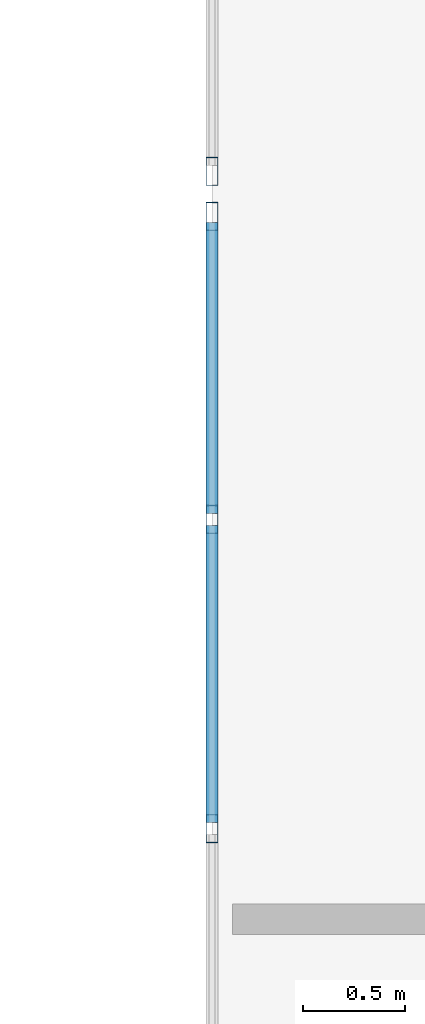
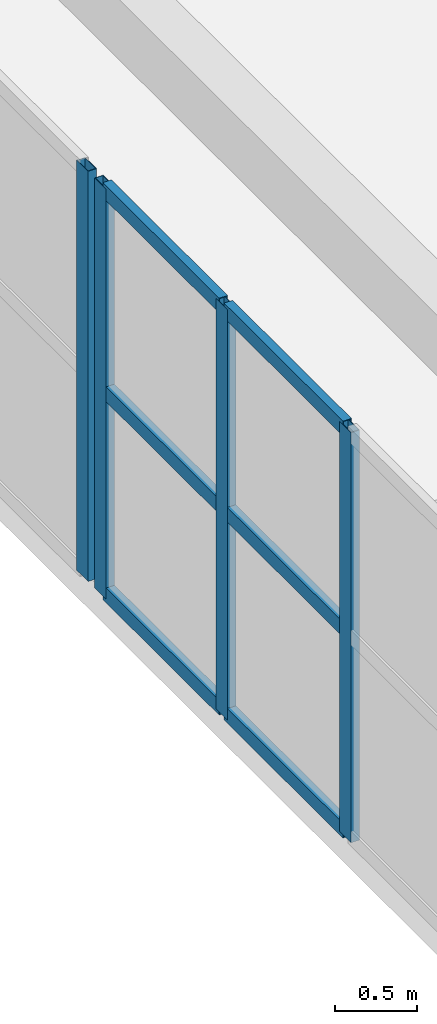
# One storey, part 51 of 148: 10 members, 2 elements without a shape of their own.
"""IFC4 building model written with IfcOpenShell, lengths in metres."""

import ifcopenshell
import ifcopenshell.guid

model = None  # the IFC model being written
_history = None  # IfcOwnerHistory: only IFC2X3 demands one
_inside = {}  # id of a spatial element -> (the spatial element, [elements in it])
_under = {}  # id of a project, library or spatial element -> (it, [spatial elements below it])
_declared = {}  # id of a project -> (the project, [libraries it declares])
_typed = {}  # id of a type object -> (the type object, [elements of that type])
_made_of = {}  # id of a material, layer set ... -> (it, [elements and type objects made of it])


def new_model(schema):
    """Start an empty IFC model of exactly this schema.

    Asked for "IFC4X3", IfcOpenShell would pick the latest addendum, in which some entities
    have other attributes; the version numbers below select the first issue.
    IFC2X3 requires an IfcOwnerHistory on every rooted entity: one is made here for all.
    """
    global model, _history
    if schema == "IFC4X3":
        model = ifcopenshell.file(schema_version=(4, 3, 0, 0))
    else:
        model = ifcopenshell.file(schema=schema)
    _inside.clear()
    _under.clear()
    _declared.clear()
    _typed.clear()
    _made_of.clear()
    _history = None
    if model.schema == "IFC2X3":
        org = make("IfcOrganization", Name="unknown")
        user = make(
            "IfcPersonAndOrganization",
            ThePerson=make("IfcPerson", FamilyName="unknown"),
            TheOrganization=org,
        )
        app = make(
            "IfcApplication",
            ApplicationDeveloper=org,
            Version="unknown",
            ApplicationFullName="unknown",
            ApplicationIdentifier="unknown",
        )
        _history = make(
            "IfcOwnerHistory",
            OwningUser=user,
            OwningApplication=app,
            ChangeAction="ADDED",
            CreationDate=0,
        )
    return model


def make(cls, **values):
    """One entity of the class cls with the attributes given. An attribute that is None is left unset."""
    return model.create_entity(
        cls, **{name: value for name, value in values.items() if value is not None}
    )


def rooted(cls, **values):
    """An entity with a GlobalId (a new one), such as an element, a storey or a relation."""
    return make(cls, GlobalId=ifcopenshell.guid.new(), OwnerHistory=_history, **values)


def si_unit(unit_type, name, prefix=None):
    """IfcSIUnit, for example si_unit("LENGTHUNIT", "METRE", prefix="MILLI")."""
    return make("IfcSIUnit", UnitType=unit_type, Prefix=prefix, Name=name)


def assignment(units):
    """IfcUnitAssignment: the units of a project."""
    return None if units is None else make("IfcUnitAssignment", Units=units)


def point(xyz):
    """IfcCartesianPoint."""
    return None if xyz is None else make("IfcCartesianPoint", Coordinates=xyz)


def direction(xyz):
    """IfcDirection."""
    return None if xyz is None else make("IfcDirection", DirectionRatios=xyz)


def frame(location, z_axis=None, x_axis=None):
    """IfcAxis2Placement3D, a coordinate frame: its origin and axes. An axis left out is left unset."""
    return make(
        "IfcAxis2Placement3D",
        Location=point(location),
        Axis=direction(z_axis),
        RefDirection=direction(x_axis),
    )


def frame_2d(location, x_axis=None):
    """IfcAxis2Placement2D, a coordinate frame in the plane: its origin and x axis."""
    return make(
        "IfcAxis2Placement2D", Location=point(location), RefDirection=direction(x_axis)
    )


def origin():
    """The frame at (0, 0, 0) with its axes left unset."""
    return frame((0.0, 0.0, 0.0))


def origin_2d():
    """The frame at (0, 0) in the plane with its x axis left unset."""
    return frame_2d((0.0, 0.0))


def place(relative_to, where):
    """IfcLocalPlacement: puts the frame where relative to a parent placement (None: the world)."""
    return make(
        "IfcLocalPlacement", PlacementRelTo=relative_to, RelativePlacement=where
    )


def context(
    kind, dimensions, precision=None, world=None, true_north=None, identifier=None
):
    """IfcGeometricRepresentationContext, for example the 3D "Model" context."""
    return make(
        "IfcGeometricRepresentationContext",
        ContextIdentifier=identifier,
        ContextType=kind,
        CoordinateSpaceDimension=dimensions,
        Precision=precision,
        WorldCoordinateSystem=world,
        TrueNorth=true_north,
    )


def subcontext(parent, identifier, kind, view, scale=None):
    """IfcGeometricRepresentationSubContext, for example "Body" below "Model"."""
    return make(
        "IfcGeometricRepresentationSubContext",
        ContextIdentifier=identifier,
        ContextType=kind,
        ParentContext=parent,
        TargetScale=scale,
        TargetView=view,
    )


def project(units=None, contexts=None):
    """IfcProject with its units and contexts."""
    return rooted(
        "IfcProject",
        Name="project",
        RepresentationContexts=contexts,
        UnitsInContext=assignment(units),
    )


def spatial(cls, under=None, at=None, **own):
    """A site, building, storey or space (cls), placed at a placement, below another one or the project."""
    s = rooted(cls, ObjectPlacement=at, **own)
    if under is not None:
        _under.setdefault(under.id(), (under, []))[1].append(s)
    return s


def profile(cls, at=None, kind="AREA", **sizes):
    """A parametric profile (cls). Its sizes go by their IFC names, for example OverallWidth=200.0."""
    return make(cls, ProfileType=kind, Position=at, **sizes)


def hollow_rectangle(**sizes):
    """IfcRectangleHollowProfileDef."""
    return profile("IfcRectangleHollowProfileDef", **sizes)


def extrude(swept, where, along, depth):
    """IfcExtrudedAreaSolid: the profile swept, set in the frame where, extruded along a direction by depth."""
    return make(
        "IfcExtrudedAreaSolid",
        SweptArea=swept,
        Position=where,
        ExtrudedDirection=direction(along),
        Depth=depth,
    )


def shape(context_of_items, identifier, shape_type, items):
    """IfcShapeRepresentation: the items that make up one representation, for example the "Body"."""
    return make(
        "IfcShapeRepresentation",
        ContextOfItems=context_of_items,
        RepresentationIdentifier=identifier,
        RepresentationType=shape_type,
        Items=items,
    )


def material(Name=None, Category=None):
    """IfcMaterial."""
    return make("IfcMaterial", Name=Name, Category=Category)


def layer(
    of_material, thickness, ventilated=None, Name=None, Category=None, Priority=None
):
    """IfcMaterialLayer: one layer of a wall or slab, of a material (None: an air gap)."""
    return make(
        "IfcMaterialLayer",
        Material=of_material,
        LayerThickness=thickness,
        IsVentilated=ventilated,
        Name=Name,
        Category=Category,
        Priority=Priority,
    )


def layer_set(layers, Name=None):
    """IfcMaterialLayerSet."""
    return make("IfcMaterialLayerSet", MaterialLayers=layers, LayerSetName=Name)


def material_profile(
    of_material, cross_section, Name=None, Category=None, Priority=None
):
    """IfcMaterialProfile: a cross section and its material."""
    return make(
        "IfcMaterialProfile",
        Name=Name,
        Material=of_material,
        Profile=cross_section,
        Priority=Priority,
        Category=Category,
    )


def profile_set(profiles, Name=None, composite=None):
    """IfcMaterialProfileSet."""
    return make(
        "IfcMaterialProfileSet",
        Name=Name,
        MaterialProfiles=profiles,
        CompositeProfile=composite,
    )


def made_of(thing, what):
    """Note that an element or type object is made of a material, layer set ...; save() writes the relation."""
    if what is not None:
        _made_of.setdefault(what.id(), (what, []))[1].append(thing)
    return thing


def type_object(cls, material=None, **own):
    """A type object (cls), such as IfcWallType, which elements share."""
    return made_of(rooted(cls, **own), material)


def element(
    cls,
    number,
    at=None,
    inside=None,
    cuts=None,
    type_object=None,
    material=None,
    context=None,
    identifier="Body",
    shape_type=None,
    held_by="IfcProductDefinitionShape",
    body=None,
    shapes=None,
    **own,
):
    """One element of the class cls, such as IfcWall. Its Tag is "e" and its number.

    at: its placement. inside: the storey or other place that contains it. cuts: it is an
    opening in that element (IfcRelVoidsElement). A single representation is given by context,
    identifier, shape_type and body (its items); several are given by shapes. held_by: the class
    of the entity that holds the representations. save() writes the other relations.
    """
    e = rooted(cls, Tag="e%d" % number, ObjectPlacement=at, **own)
    if body is not None:
        shapes = [shape(context, identifier, shape_type, body)]
    if shapes is not None:
        e.Representation = make(held_by, Representations=shapes)
    if inside is not None:
        _inside.setdefault(inside.id(), (inside, []))[1].append(e)
    if cuts is not None:
        rooted(
            "IfcRelVoidsElement", RelatingBuildingElement=cuts, RelatedOpeningElement=e
        )
    if type_object is not None:
        _typed.setdefault(type_object.id(), (type_object, []))[1].append(e)
    return made_of(e, material)


def aggregate(whole, parts):
    """IfcRelAggregates: a whole, such as a stair, and the parts it consists of."""
    return rooted("IfcRelAggregates", RelatingObject=whole, RelatedObjects=parts)


def save(model, path):
    """Write the relations noted so far, then the file.

    IfcRelAggregates (storeys below a building ...), IfcRelContainedInSpatialStructure (elements
    in a storey), IfcRelDefinesByType, IfcRelAssociatesMaterial and IfcRelDeclares: one each for
    every whole, place, type object, material and project.
    """
    for whole, parts in _under.values():
        aggregate(whole, parts)
    for where, things in _inside.values():
        rooted(
            "IfcRelContainedInSpatialStructure",
            RelatedElements=things,
            RelatingStructure=where,
        )
    for kind, things in _typed.values():
        rooted("IfcRelDefinesByType", RelatedObjects=things, RelatingType=kind)
    for what, things in _made_of.values():
        rooted("IfcRelAssociatesMaterial", RelatedObjects=things, RelatingMaterial=what)
    for by, libraries in _declared.values():
        rooted("IfcRelDeclares", RelatingContext=by, RelatedDefinitions=libraries)
    model.write(path)


model = new_model("IFC4")

# Units and contexts
model_context = context("Model", 3, precision=1e-05, world=origin(), true_north=direction((0.0, 1.0)))
body_context = subcontext(model_context, "Body", "Model", "MODEL_VIEW")
ifc_project = project(units=[si_unit("LENGTHUNIT", "METRE"), si_unit("AREAUNIT", "SQUARE_METRE"), si_unit("VOLUMEUNIT", "CUBIC_METRE"), si_unit("PLANEANGLEUNIT", "RADIAN"), si_unit("MASSUNIT", "GRAM", prefix="KILO")], contexts=[model_context])

# Site, building, storey
site_placement = place(None, origin())
site = spatial("IfcSite", under=ifc_project, at=site_placement, CompositionType="ELEMENT")
building_placement = place(site_placement, origin())
building = spatial("IfcBuilding", under=site, at=building_placement, Name="Trelvath General Hospital", CompositionType="ELEMENT")
storey_placement = place(building_placement, frame((0.0, 0.0, 12.89990234375)))
storey = spatial("IfcBuildingStorey", under=building, at=storey_placement, Name="L03", CompositionType="ELEMENT", Elevation=12.89990234375)

# Curtain wall, members
ifc_material_1 = material(Name="Anodised aluminium and low-E glass", Category="aluminium")
ifc_layer_1 = layer(ifc_material_1, 0.14990234375)
ifc_layer_set_1 = layer_set([ifc_layer_1], Name="Anodised aluminium and low-E glass")
curtain_wall_type_1 = type_object("IfcCurtainWallType", Name="CW CrystalCube 1664 306 15", PredefinedType="USERDEFINED", material=ifc_layer_set_1)
curtain_wall_1_placement = place(storey_placement, origin())
curtain_wall_1 = element("IfcCurtainWall", 1, at=curtain_wall_1_placement, inside=storey, type_object=curtain_wall_type_1, Name="Crystal Cube Curtain Wall CUBE-W-T1 W3 L03", ObjectType="Unitised Glazed Curtain Wall", PredefinedType="USERDEFINED")
ifc_material_2 = material(Name="Anodised aluminium", Category="aluminium")
ifc_material_profile_1 = material_profile(ifc_material_2, hollow_rectangle(XDim=0.06005859375, YDim=0.139892578125, WallThickness=0.00390625, at=origin_2d()), Name="RHS60x140x4")
ifc_profile_set_1 = profile_set([ifc_material_profile_1], Name="Anodised aluminium")
member_type_1 = type_object("IfcMemberType", Name="CurtainMullion 60x140", PredefinedType="MULLION", material=ifc_profile_set_1)
member_1_placement = place(storey_placement, frame((53.199951171875, 64.094482421875, 0.0), z_axis=(0.0, 0.0, 1.0), x_axis=(-1.0, 0.0, 0.0)))
member_1 = element("IfcMember", 2, at=member_1_placement, type_object=member_type_1, Name="CW-239 mullion 10", PredefinedType="MULLION", context=body_context, shape_type="SweptSolid", body=[
    extrude(hollow_rectangle(XDim=0.06005859375, YDim=0.139892578125, WallThickness=0.00390625, at=origin_2d()), origin(), (0.0, 0.0, 1.0), 3.06005859375),
])
member_2_placement = place(storey_placement, frame((53.199951171875, 65.607177734375, 0.0), z_axis=(0.0, 0.0, 1.0), x_axis=(-1.0, 0.0, 0.0)))
member_2 = element("IfcMember", 3, at=member_2_placement, type_object=member_type_1, Name="CW-239 mullion 11", PredefinedType="MULLION", context=body_context, shape_type="SweptSolid", body=[
    extrude(hollow_rectangle(XDim=0.06005859375, YDim=0.139892578125, WallThickness=0.00390625, at=origin_2d()), origin(), (0.0, 0.0, 1.0), 3.06005859375),
])
member_3_placement = place(storey_placement, frame((53.199951171875, 67.090087890625, 0.0), z_axis=(0.0, 0.0, 1.0), x_axis=(-1.0, 0.0, 0.0)))
member_3 = element("IfcMember", 4, at=member_3_placement, type_object=member_type_1, Name="CW-239 mullion 12", PredefinedType="MULLION", context=body_context, shape_type="SweptSolid", body=[
    extrude(hollow_rectangle(XDim=0.06005859375, YDim=0.139892578125, WallThickness=0.00390625, at=origin_2d()), origin(), (0.0, 0.0, 1.0), 3.06005859375),
])

# Curtain wall, member
ifc_material_3 = material(Name="Anodised aluminium and low-E glass", Category="aluminium")
ifc_layer_2 = layer(ifc_material_3, 0.14990234375)
ifc_layer_set_2 = layer_set([ifc_layer_2], Name="Anodised aluminium and low-E glass")
curtain_wall_type_2 = type_object("IfcCurtainWallType", Name="CW CrystalCube 824 306 15", PredefinedType="USERDEFINED", material=ifc_layer_set_2)
curtain_wall_2_placement = place(storey_placement, origin())
curtain_wall_2 = element("IfcCurtainWall", 5, at=curtain_wall_2_placement, inside=storey, type_object=curtain_wall_type_2, Name="Crystal Cube Curtain Wall CUBE-W-T1 W4 L03", ObjectType="Unitised Glazed Curtain Wall", PredefinedType="USERDEFINED")
member_4_placement = place(storey_placement, frame((53.199951171875, 67.31005859375, 0.0), z_axis=(0.0, 0.0, 1.0), x_axis=(-1.0, 0.0, 0.0)))
member_4 = element("IfcMember", 6, at=member_4_placement, type_object=member_type_1, Name="CW-240 mullion 1", PredefinedType="MULLION", context=body_context, shape_type="SweptSolid", body=[
    extrude(hollow_rectangle(XDim=0.06005859375, YDim=0.139892578125, WallThickness=0.00390625, at=origin_2d()), origin(), (0.0, 0.0, 1.0), 3.06005859375),
])
aggregate(curtain_wall_2, [member_4])

# Member
ifc_material_4 = material(Name="Anodised aluminium", Category="aluminium")
ifc_material_profile_2 = material_profile(ifc_material_4, hollow_rectangle(XDim=0.06005859375, YDim=0.110107421875, WallThickness=0.00390625, at=origin_2d()), Name="RHS60x110x4")
ifc_profile_set_2 = profile_set([ifc_material_profile_2], Name="Anodised aluminium")
member_type_2 = type_object("IfcMemberType", Name="CurtainTransom 60x110", PredefinedType="USERDEFINED", material=ifc_profile_set_2)
member_5_placement = place(storey_placement, frame((53.199951171875, 64.12451171875, 0.030029296875), z_axis=(0.0, 1.0, 0.0), x_axis=(-1.0, 0.0, 0.0)))
member_5 = element("IfcMember", 7, at=member_5_placement, type_object=member_type_2, Name="CW-239 transom 10.1", ObjectType="TRANSOM", PredefinedType="USERDEFINED", context=body_context, shape_type="SweptSolid", body=[
    extrude(hollow_rectangle(XDim=0.06005859375, YDim=0.110107421875, WallThickness=0.00390625, at=origin_2d()), origin(), (0.0, 0.0, 1.0), 1.452880859375),
])

member_6_placement = place(storey_placement, frame((53.199951171875, 64.12451171875, 1.530029296875), z_axis=(0.0, 1.0, 0.0), x_axis=(-1.0, 0.0, 0.0)))
member_6 = element("IfcMember", 8, at=member_6_placement, type_object=member_type_2, Name="CW-239 transom 10.2", ObjectType="TRANSOM", PredefinedType="USERDEFINED", context=body_context, shape_type="SweptSolid", body=[
    extrude(hollow_rectangle(XDim=0.06005859375, YDim=0.110107421875, WallThickness=0.00390625, at=origin_2d()), origin(), (0.0, 0.0, 1.0), 1.452880859375),
])

member_7_placement = place(storey_placement, frame((53.199951171875, 64.12451171875, 3.030029296875), z_axis=(0.0, 1.0, 0.0), x_axis=(-1.0, 0.0, 0.0)))
member_7 = element("IfcMember", 9, at=member_7_placement, type_object=member_type_2, Name="CW-239 transom 10.3", ObjectType="TRANSOM", PredefinedType="USERDEFINED", context=body_context, shape_type="SweptSolid", body=[
    extrude(hollow_rectangle(XDim=0.06005859375, YDim=0.110107421875, WallThickness=0.00390625, at=origin_2d()), origin(), (0.0, 0.0, 1.0), 1.452880859375),
])

member_8_placement = place(storey_placement, frame((53.199951171875, 65.63720703125, 0.030029296875), z_axis=(0.0, 1.0, 0.0), x_axis=(-1.0, 0.0, 0.0)))
member_8 = element("IfcMember", 10, at=member_8_placement, type_object=member_type_2, Name="CW-239 transom 11.1", ObjectType="TRANSOM", PredefinedType="USERDEFINED", context=body_context, shape_type="SweptSolid", body=[
    extrude(hollow_rectangle(XDim=0.06005859375, YDim=0.110107421875, WallThickness=0.00390625, at=origin_2d()), origin(), (0.0, 0.0, 1.0), 1.4228515625),
])

member_9_placement = place(storey_placement, frame((53.199951171875, 65.63720703125, 1.530029296875), z_axis=(0.0, 1.0, 0.0), x_axis=(-1.0, 0.0, 0.0)))
member_9 = element("IfcMember", 11, at=member_9_placement, type_object=member_type_2, Name="CW-239 transom 11.2", ObjectType="TRANSOM", PredefinedType="USERDEFINED", context=body_context, shape_type="SweptSolid", body=[
    extrude(hollow_rectangle(XDim=0.06005859375, YDim=0.110107421875, WallThickness=0.00390625, at=origin_2d()), origin(), (0.0, 0.0, 1.0), 1.4228515625),
])

member_10_placement = place(storey_placement, frame((53.199951171875, 65.63720703125, 3.030029296875), z_axis=(0.0, 1.0, 0.0), x_axis=(-1.0, 0.0, 0.0)))
member_10 = element("IfcMember", 12, at=member_10_placement, type_object=member_type_2, Name="CW-239 transom 11.3", ObjectType="TRANSOM", PredefinedType="USERDEFINED", context=body_context, shape_type="SweptSolid", body=[
    extrude(hollow_rectangle(XDim=0.06005859375, YDim=0.110107421875, WallThickness=0.00390625, at=origin_2d()), origin(), (0.0, 0.0, 1.0), 1.4228515625),
])

aggregate(curtain_wall_1, [member_1, member_2, member_3, member_5, member_6, member_7, member_8, member_9, member_10])

save(model, "model.ifc")
